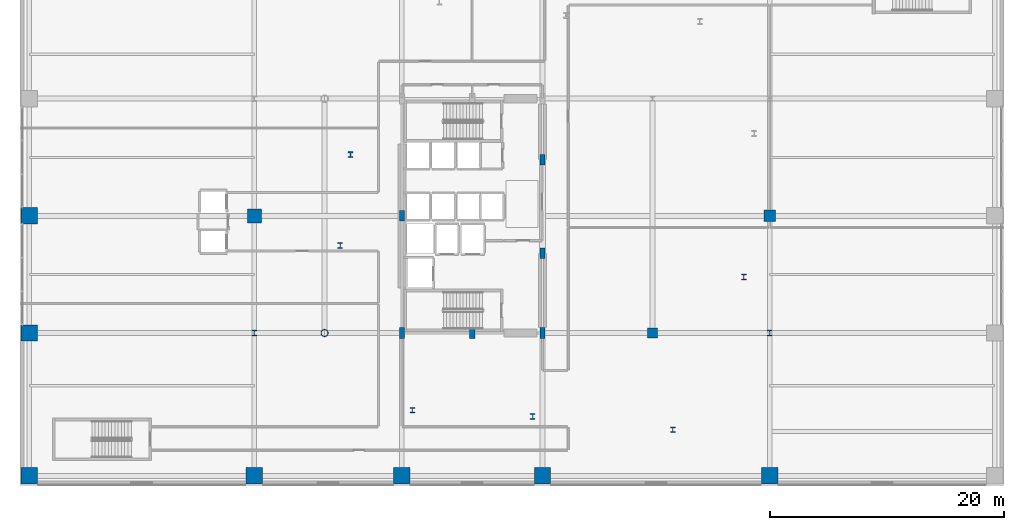
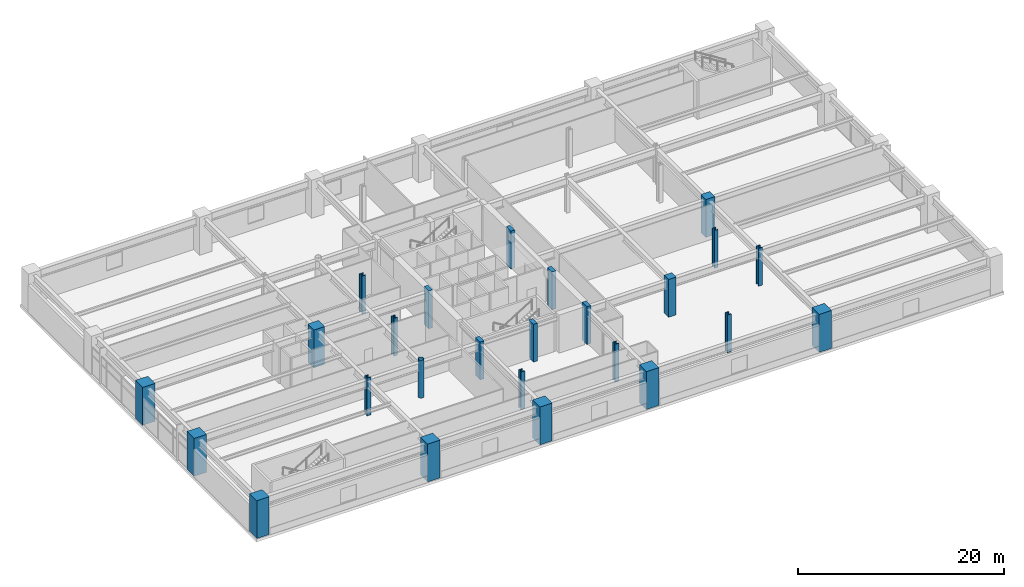
# One storey, part 1 of 28: 25 columns.
"""IFC4 building model written with IfcOpenShell, lengths in metres."""

from ifc_helpers import new_model, si_unit, direction, frame, origin, origin_2d, place, context, subcontext, project, spatial, rectangle, hollow_circle, i_section, extrude, material, material_profile, profile_set, type_object, element, save


model = new_model("IFC4")

# Units and contexts
model_context = context("Model", 3, precision=1e-05, world=origin(), true_north=direction((0.0, 1.0)))
body_context = subcontext(model_context, "Body", "Model", "MODEL_VIEW")
ifc_project = project(units=[si_unit("LENGTHUNIT", "METRE"), si_unit("AREAUNIT", "SQUARE_METRE"), si_unit("VOLUMEUNIT", "CUBIC_METRE"), si_unit("PLANEANGLEUNIT", "RADIAN"), si_unit("MASSUNIT", "GRAM", prefix="KILO")], contexts=[model_context])

# Site, building, storey
site_placement = place(None, origin())
site = spatial("IfcSite", under=ifc_project, at=site_placement, CompositionType="ELEMENT")
building_placement = place(site_placement, origin())
building = spatial("IfcBuilding", under=site, at=building_placement, Name="Soratama Intermodal Tower", CompositionType="ELEMENT")
storey_placement = place(building_placement, frame((0.0, 0.0, 16.199951171875)))
storey = spatial("IfcBuildingStorey", under=building, at=storey_placement, Name="L03", CompositionType="ELEMENT", Elevation=16.199951171875)

# Columns
ifc_material_1 = material(Name="Concrete f'c 56 MPa", Category="concrete")
ifc_material_profile_1 = material_profile(ifc_material_1, rectangle(XDim=1.39990234375, YDim=1.39990234375, at=origin_2d()), Name="RC1400X1400")
ifc_profile_set_1 = profile_set([ifc_material_profile_1], Name="Concrete f'c 56 MPa")
column_type_1 = type_object("IfcColumnType", Name="COL-POD-EXT-RC1400", PredefinedType="COLUMN", material=ifc_profile_set_1)
for number, where, z_axis, x_axis, name in (
    (1, (0.800048828125, 2.800048828125, 0.0), (0.0, 0.0, 1.0), (1.0, 0.0, 0.0), "L03 Station Column P01"),
    (2, (20.0, 2.800048828125, 0.0), (0.0, 0.0, 1.0), (1.0, 0.0, 0.0), "L03 Station Column P02"),
    (3, (64.0, 2.800048828125, 0.0), (0.0, 0.0, 1.0), (1.0, 0.0, 0.0), "L03 Station Column P03"),
    (4, (0.800048828125, 15.0, 0.0), (0.0, 0.0, 1.0), (1.0, 0.0, 0.0), "L03 Station Column P05"),
    (5, (0.800048828125, 25.0, 0.0), (0.0, 0.0, 1.0), (1.0, 0.0, 0.0), "L03 Station Column P17"),
    (6, (32.60009765625, 2.800048828125, 0.0), (0.0, 0.0, 1.0), (1.0, 0.0, 0.0), "L03 Station Column P21"),
    (7, (44.60009765625, 2.800048828125, 0.0), (0.0, 0.0, 1.0), (1.0, 0.0, 0.0), "L03 Station Column P22"),
):
    element("IfcColumn", number, at=place(storey_placement, frame(where, z_axis=z_axis, x_axis=x_axis)), inside=storey, type_object=column_type_1, Name=name, PredefinedType="COLUMN", context=body_context, shape_type="SweptSolid", body=[
        extrude(rectangle(XDim=1.39990234375, YDim=1.39990234375, at=origin_2d()), origin(), (0.0, 0.0, 1.0), 4.5),
    ])
ifc_material_2 = material(Name="Concrete f'c 56 MPa", Category="concrete")
ifc_material_profile_2 = material_profile(ifc_material_2, rectangle(XDim=1.0, YDim=1.0, at=origin_2d()), Name="RC1000X1000")
ifc_profile_set_2 = profile_set([ifc_material_profile_2], Name="Concrete f'c 56 MPa")
column_type_2 = type_object("IfcColumnType", Name="COL-POD-RC1000", PredefinedType="COLUMN", material=ifc_profile_set_2)
column_1_placement = place(storey_placement, frame((64.0, 25.0, 0.0), z_axis=(0.0, 0.0, 1.0), x_axis=(1.0, 0.0, 0.0)))
element("IfcColumn", 8, at=column_1_placement, inside=storey, type_object=column_type_2, Name="L03 Station Column P19", PredefinedType="COLUMN", context=body_context, shape_type="SweptSolid", body=[
    extrude(rectangle(XDim=1.0, YDim=1.0, at=origin_2d()), origin(), (0.0, 0.0, 1.0), 4.5),
])
ifc_material_3 = material(Name="Concrete f'c 56 MPa", Category="concrete")
ifc_material_profile_3 = material_profile(ifc_material_3, rectangle(XDim=1.199951171875, YDim=1.199951171875, at=origin_2d()), Name="RC1200X1200")
ifc_profile_set_3 = profile_set([ifc_material_profile_3], Name="Concrete f'c 56 MPa")
column_type_3 = type_object("IfcColumnType", Name="COL-POD-RC1200", PredefinedType="COLUMN", material=ifc_profile_set_3)
column_2_placement = place(storey_placement, frame((20.0, 25.0, 0.0), z_axis=(0.0, 0.0, 1.0), x_axis=(1.0, 0.0, 0.0)))
element("IfcColumn", 9, at=column_2_placement, inside=storey, type_object=column_type_3, Name="L03 Station Column P18", PredefinedType="COLUMN", context=body_context, shape_type="SweptSolid", body=[
    extrude(rectangle(XDim=1.199951171875, YDim=1.199951171875, at=origin_2d()), origin(), (0.0, 0.0, 1.0), 4.5),
])
ifc_material_4 = material(Name="Concrete f'c 56 MPa", Category="concrete")
ifc_material_profile_4 = material_profile(ifc_material_4, rectangle(XDim=0.85009765625, YDim=0.85009765625, at=origin_2d()), Name="RC850X850")
ifc_profile_set_4 = profile_set([ifc_material_profile_4], Name="Concrete f'c 56 MPa")
column_type_4 = type_object("IfcColumnType", Name="COL-POD-RC850", PredefinedType="COLUMN", material=ifc_profile_set_4)
column_3_placement = place(storey_placement, frame((54.0, 15.0, 0.0), z_axis=(0.0, 0.0, 1.0), x_axis=(1.0, 0.0, 0.0)))
element("IfcColumn", 10, at=column_3_placement, inside=storey, type_object=column_type_4, Name="L03 Station Column P25", PredefinedType="COLUMN", context=body_context, shape_type="SweptSolid", body=[
    extrude(rectangle(XDim=0.85009765625, YDim=0.85009765625, at=origin_2d()), origin(), (0.0, 0.0, 1.0), 4.5),
])
ifc_material_5 = material(Name="Structural steel ASTM A992 Grade 50", Category="steel")
ifc_material_profile_5 = material_profile(ifc_material_5, i_section(OverallWidth=0.431884765625, OverallDepth=0.498046875, WebThickness=0.0556640625, FlangeThickness=0.0888671875, FilletRadius=0.0380859375, at=origin_2d()), Name="W14X500")
ifc_profile_set_5 = profile_set([ifc_material_profile_5], Name="Structural steel ASTM A992 Grade 50")
column_type_5 = type_object("IfcColumnType", Name="COL-POD-W14X500", PredefinedType="COLUMN", material=ifc_profile_set_5)
for number, where, z_axis, x_axis, name in (
    (11, (20.0, 15.0, 0.0), (0.0, 0.0, 1.0), (1.0, 0.0, 0.0), "L03 Station Column P06"),
    (12, (64.0, 15.0, 0.0), (0.0, 0.0, 1.0), (1.0, 0.0, 0.0), "L03 Station Column P07"),
    (13, (28.208984375, 30.22705078125, 0.0), (0.0, 0.0, 1.0), (1.0, 0.0, 0.0), "L03 Station Column P33"),
    (14, (27.3310546875, 22.47509765625, 0.0), (0.0, 0.0, 1.0), (1.0, 0.0, 0.0), "L03 Station Column P34"),
    (15, (33.498046875, 8.405029296875, 0.0), (0.0, 0.0, 1.0), (1.0, 0.0, 0.0), "L03 Station Column P35"),
    (16, (43.759033203125, 7.883056640625, 0.0), (0.0, 0.0, 1.0), (1.0, 0.0, 0.0), "L03 Station Column P36"),
    (17, (55.73388671875, 6.735107421875, 0.0), (0.0, 0.0, 1.0), (1.0, 0.0, 0.0), "L03 Station Column P37"),
    (18, (61.791015625, 19.77294921875, 0.0), (0.0, 0.0, 1.0), (1.0, 0.0, 0.0), "L03 Station Column P38"),
):
    element("IfcColumn", number, at=place(storey_placement, frame(where, z_axis=z_axis, x_axis=x_axis)), inside=storey, type_object=column_type_5, Name=name, PredefinedType="COLUMN", context=body_context, shape_type="SweptSolid", body=[
        extrude(i_section(OverallWidth=0.431884765625, OverallDepth=0.498046875, WebThickness=0.0556640625, FlangeThickness=0.0888671875, FilletRadius=0.0380859375, at=origin_2d()), origin(), (0.0, 0.0, 1.0), 4.5),
    ])
ifc_material_6 = material(Name="Structural steel ASTM A500 Grade C", Category="steel")
ifc_material_profile_6 = material_profile(ifc_material_6, hollow_circle(Radius=0.304931640625, WallThickness=0.02197265625, at=origin_2d()), Name="CHS610X22")
ifc_profile_set_6 = profile_set([ifc_material_profile_6], Name="Structural steel ASTM A500 Grade C")
column_type_6 = type_object("IfcColumnType", Name="COL-POOL-CHS610", PredefinedType="COLUMN", material=ifc_profile_set_6)
column_4_placement = place(storey_placement, frame((26.0, 15.0, 0.0), z_axis=(0.0, 0.0, 1.0), x_axis=(1.0, 0.0, 0.0)))
element("IfcColumn", 19, at=column_4_placement, inside=storey, type_object=column_type_6, Name="L03 Station Column P27", PredefinedType="COLUMN", context=body_context, shape_type="SweptSolid", body=[
    extrude(hollow_circle(Radius=0.304931640625, WallThickness=0.02197265625, at=origin_2d()), origin(), (0.0, 0.0, 1.0), 4.5),
])
ifc_material_7 = material(Name="Concrete f'c 56 MPa", Category="concrete")
ifc_material_profile_7 = material_profile(ifc_material_7, rectangle(XDim=0.449951171875, YDim=0.89990234375, at=origin_2d()), Name="RC450X900")
ifc_profile_set_7 = profile_set([ifc_material_profile_7], Name="Concrete f'c 56 MPa")
column_type_7 = type_object("IfcColumnType", Name="PIL-CORE-450X900", PredefinedType="PILASTER", material=ifc_profile_set_7)
for number, where, z_axis, x_axis, name in (
    (20, (32.60009765625, 15.0, 0.0), (0.0, 0.0, 1.0), (1.0, 0.0, 0.0), "L03 Core Pilaster 1"),
    (21, (32.60009765625, 25.0, 0.0), (0.0, 0.0, 1.0), (1.0, 0.0, 0.0), "L03 Core Pilaster 2"),
    (22, (38.60009765625, 15.0, 0.0), (0.0, 0.0, 1.0), (1.0, 0.0, 0.0), "L03 Core Pilaster 4"),
    (23, (44.60009765625, 15.0, 0.0), (0.0, 0.0, 1.0), (1.0, 0.0, 0.0), "L03 Core Pilaster 6"),
    (24, (44.60009765625, 21.800048828125, 0.0), (0.0, 0.0, 1.0), (1.0, 0.0, 0.0), "L03 Core Pilaster 7"),
    (25, (44.60009765625, 29.800048828125, 0.0), (0.0, 0.0, 1.0), (1.0, 0.0, 0.0), "L03 Core Pilaster 8"),
):
    element("IfcColumn", number, at=place(storey_placement, frame(where, z_axis=z_axis, x_axis=x_axis)), inside=storey, type_object=column_type_7, Name=name, PredefinedType="PILASTER", context=body_context, shape_type="SweptSolid", body=[
        extrude(rectangle(XDim=0.449951171875, YDim=0.89990234375, at=origin_2d()), origin(), (0.0, 0.0, 1.0), 4.5),
    ])

save(model, "model.ifc")
